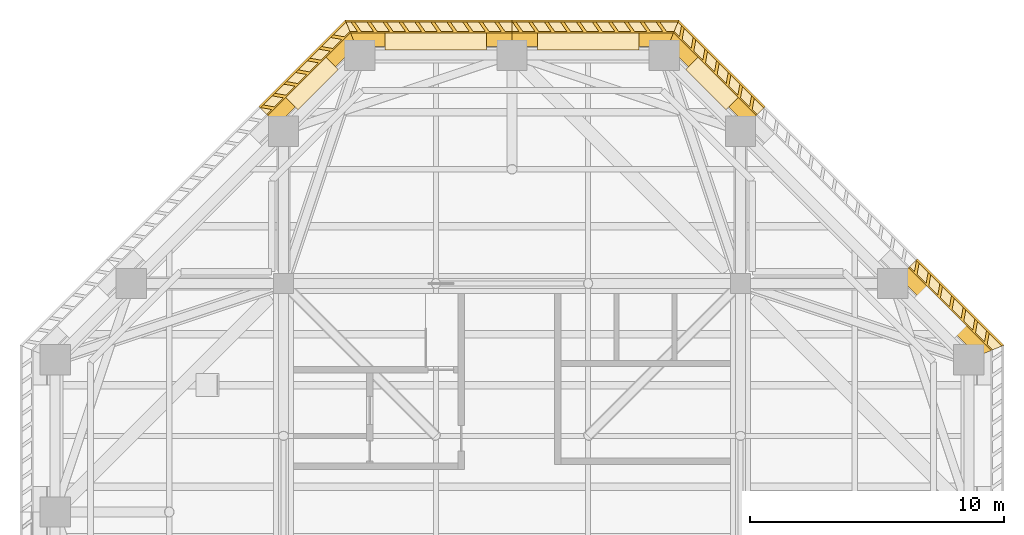
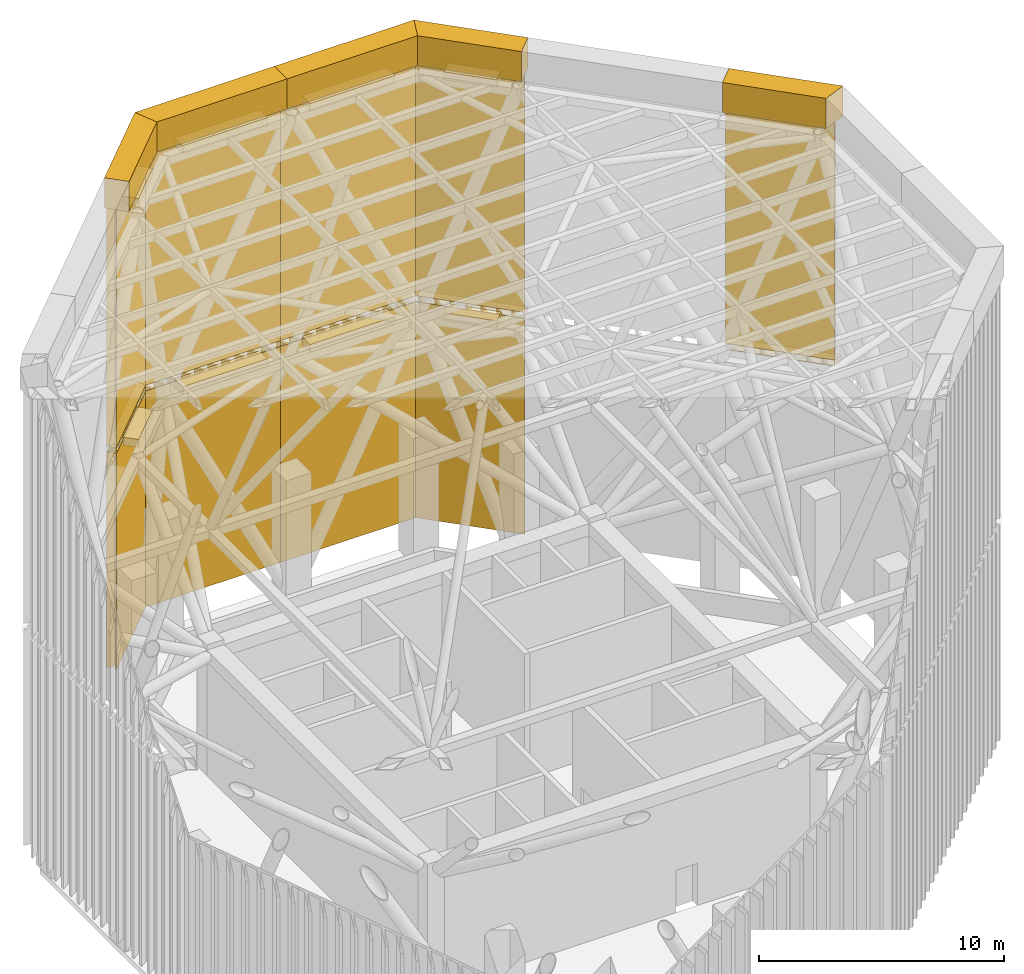
# One storey, part 8 of 8: 27 coverings.
"""IFC4 building model written with IfcOpenShell, lengths in metres."""

from ifc_helpers import new_model, si_unit, direction, frame, origin, place, context, subcontext, project, spatial, polyline, outline, extrude, material, layer, layer_set, constituent, constituent_set, type_object, element, save


model = new_model("IFC4")

# Units and contexts
model_context = context("Model", 3, precision=1e-05, world=origin(), true_north=direction((0.0, 1.0)))
body_context = subcontext(model_context, "Body", "Model", "MODEL_VIEW")
ifc_project = project(units=[si_unit("LENGTHUNIT", "METRE"), si_unit("AREAUNIT", "SQUARE_METRE"), si_unit("VOLUMEUNIT", "CUBIC_METRE"), si_unit("PLANEANGLEUNIT", "RADIAN"), si_unit("MASSUNIT", "GRAM", prefix="KILO")], contexts=[model_context])

# Site, building, storey
site_placement = place(None, origin())
site = spatial("IfcSite", under=ifc_project, at=site_placement, CompositionType="ELEMENT")
building_placement = place(site_placement, origin())
building = spatial("IfcBuilding", under=site, at=building_placement, Name="Torre Cruceta", CompositionType="ELEMENT")
storey_placement = place(building_placement, frame((0.0, 0.0, 293.300048828125)))
storey = spatial("IfcBuildingStorey", under=building, at=storey_placement, Name="RF", CompositionType="ELEMENT", Elevation=293.300048828125)

# Coverings
ifc_material_1 = material(Name="Glass-fibre reinforced concrete", Category="concrete")
ifc_constituent_1 = constituent(ifc_material_1, Name="Panel")
ifc_material_2 = material(Name="Steel S275", Category="steel")
ifc_constituent_2 = constituent(ifc_material_2, Name="Subframe")
ifc_material_3 = material(Name="Hot-dip galvanising", Category="zinc")
ifc_constituent_3 = constituent(ifc_material_3, Name="Subframe coating")
ifc_constituent_set_1 = constituent_set(constituents=[ifc_constituent_1, ifc_constituent_2, ifc_constituent_3], Name="GFRC panel on a galvanised steel subframe")
covering_type_1 = type_object("IfcCoveringType", Name="CROWN CAP FASCIA GFRC 1500", PredefinedType="CLADDING", material=ifc_constituent_set_1)
covering_1_placement = place(storey_placement, frame((0.0, 0.0, 24.0)))
element("IfcCovering", 1, at=covering_1_placement, inside=storey, type_object=covering_type_1, Name="Crown cap fascia FC1 11", PredefinedType="CLADDING", context=body_context, shape_type="SweptSolid", body=[
    extrude(outline(polyline([(19.3798828125, 6.571533203125), (15.975830078125, 9.975830078125), (15.240478515625, 9.240478515625), (18.340087890625, 6.140869140625), (19.3798828125, 6.571533203125)])), origin(), (0.0, 0.0, 1.0), 1.5),
])
covering_2_placement = place(storey_placement, frame((0.0, 0.0, 24.0)))
element("IfcCovering", 2, at=covering_2_placement, inside=storey, type_object=covering_type_1, Name="Crown cap fascia FC1 13", PredefinedType="CLADDING", context=body_context, shape_type="SweptSolid", body=[
    extrude(outline(polyline([(9.975830078125, 15.975830078125), (6.571533203125, 19.3798828125), (6.140869140625, 18.340087890625), (9.240478515625, 15.240478515625), (9.975830078125, 15.975830078125)])), origin(), (0.0, 0.0, 1.0), 1.5),
])
covering_3_placement = place(storey_placement, frame((0.0, 0.0, 24.0)))
element("IfcCovering", 3, at=covering_3_placement, inside=storey, type_object=covering_type_1, Name="Crown cap fascia FC1 14", PredefinedType="CLADDING", context=body_context, shape_type="SweptSolid", body=[
    extrude(outline(polyline([(6.571533203125, 19.3798828125), (0.0, 19.3798828125), (0.0, 18.340087890625), (6.140869140625, 18.340087890625), (6.571533203125, 19.3798828125)])), origin(), (0.0, 0.0, 1.0), 1.5),
])
covering_4_placement = place(storey_placement, frame((0.0, 0.0, 24.0)))
element("IfcCovering", 4, at=covering_4_placement, inside=storey, type_object=covering_type_1, Name="Crown cap fascia FC1 15", PredefinedType="CLADDING", context=body_context, shape_type="SweptSolid", body=[
    extrude(outline(polyline([(0.0, 19.3798828125), (-6.571533203125, 19.3798828125), (-6.140869140625, 18.340087890625), (0.0, 18.340087890625), (0.0, 19.3798828125)])), origin(), (0.0, 0.0, 1.0), 1.5),
])
covering_5_placement = place(storey_placement, frame((0.0, 0.0, 24.0)))
element("IfcCovering", 5, at=covering_5_placement, inside=storey, type_object=covering_type_1, Name="Crown cap fascia FC1 16", PredefinedType="CLADDING", context=body_context, shape_type="SweptSolid", body=[
    extrude(outline(polyline([(-6.571533203125, 19.3798828125), (-9.975830078125, 15.975830078125), (-9.240478515625, 15.240478515625), (-6.140869140625, 18.340087890625), (-6.571533203125, 19.3798828125)])), origin(), (0.0, 0.0, 1.0), 1.5),
])
ifc_material_4 = material(Name="Glass-fibre reinforced concrete", Category="concrete")
ifc_constituent_4 = constituent(ifc_material_4, Name="Panel")
ifc_material_5 = material(Name="Steel S275", Category="steel")
ifc_constituent_5 = constituent(ifc_material_5, Name="Subframe")
ifc_material_6 = material(Name="Hot-dip galvanising", Category="zinc")
ifc_constituent_6 = constituent(ifc_material_6, Name="Subframe coating")
ifc_constituent_set_2 = constituent_set(constituents=[ifc_constituent_4, ifc_constituent_5, ifc_constituent_6], Name="GFRC panel on a galvanised steel subframe")
covering_type_2 = type_object("IfcCoveringType", Name="CROWN SCREEN JOINT BAND GFRC 300", PredefinedType="CLADDING", material=ifc_constituent_set_2)
covering_6_placement = place(storey_placement, frame((0.0, 0.0, 11.849853515625)))
element("IfcCovering", 6, at=covering_6_placement, inside=storey, type_object=covering_type_2, Name="Crown screen joint band SJ1 11", PredefinedType="CLADDING", context=body_context, shape_type="SweptSolid", body=[
    extrude(outline(polyline([(19.298583984375, 6.537841796875), (15.918212890625, 9.918212890625), (15.615234375, 9.615234375), (18.8701171875, 6.3603515625), (19.298583984375, 6.537841796875)])), origin(), (0.0, 0.0, 1.0), 0.300048828125),
])
covering_7_placement = place(storey_placement, frame((0.0, 0.0, 11.849853515625)))
element("IfcCovering", 7, at=covering_7_placement, inside=storey, type_object=covering_type_2, Name="Crown screen joint band SJ1 13", PredefinedType="CLADDING", context=body_context, shape_type="SweptSolid", body=[
    extrude(outline(polyline([(9.918212890625, 15.918212890625), (6.537841796875, 19.298583984375), (6.3603515625, 18.8701171875), (9.615234375, 15.615234375), (9.918212890625, 15.918212890625)])), origin(), (0.0, 0.0, 1.0), 0.300048828125),
])
covering_8_placement = place(storey_placement, frame((0.0, 0.0, 11.849853515625)))
element("IfcCovering", 8, at=covering_8_placement, inside=storey, type_object=covering_type_2, Name="Crown screen joint band SJ1 14", PredefinedType="CLADDING", context=body_context, shape_type="SweptSolid", body=[
    extrude(outline(polyline([(6.537841796875, 19.298583984375), (0.0, 19.298583984375), (0.0, 18.8701171875), (6.3603515625, 18.8701171875), (6.537841796875, 19.298583984375)])), origin(), (0.0, 0.0, 1.0), 0.300048828125),
])
covering_9_placement = place(storey_placement, frame((0.0, 0.0, 11.849853515625)))
element("IfcCovering", 9, at=covering_9_placement, inside=storey, type_object=covering_type_2, Name="Crown screen joint band SJ1 15", PredefinedType="CLADDING", context=body_context, shape_type="SweptSolid", body=[
    extrude(outline(polyline([(0.0, 19.298583984375), (-6.537841796875, 19.298583984375), (-6.3603515625, 18.8701171875), (0.0, 18.8701171875), (0.0, 19.298583984375)])), origin(), (0.0, 0.0, 1.0), 0.300048828125),
])
covering_10_placement = place(storey_placement, frame((0.0, 0.0, 11.849853515625)))
element("IfcCovering", 10, at=covering_10_placement, inside=storey, type_object=covering_type_2, Name="Crown screen joint band SJ1 16", PredefinedType="CLADDING", context=body_context, shape_type="SweptSolid", body=[
    extrude(outline(polyline([(-6.537841796875, 19.298583984375), (-9.918212890625, 15.918212890625), (-9.615234375, 15.615234375), (-6.3603515625, 18.8701171875), (-6.537841796875, 19.298583984375)])), origin(), (0.0, 0.0, 1.0), 0.300048828125),
])
ifc_material_7 = material(Name="Glass-fibre reinforced concrete", Category="concrete")
ifc_constituent_7 = constituent(ifc_material_7, Name="Panel")
ifc_material_8 = material(Name="Steel S275", Category="steel")
ifc_constituent_8 = constituent(ifc_material_8, Name="Subframe")
ifc_material_9 = material(Name="Hot-dip galvanising", Category="zinc")
ifc_constituent_9 = constituent(ifc_material_9, Name="Subframe coating")
ifc_constituent_set_3 = constituent_set(constituents=[ifc_constituent_7, ifc_constituent_8, ifc_constituent_9], Name="GFRC panel on a galvanised steel subframe")
covering_type_3 = type_object("IfcCoveringType", Name="CROWN SCREEN PANEL GFRC FINS 450 TIER 1", PredefinedType="CLADDING", material=ifc_constituent_set_3)
covering_11_placement = place(storey_placement, frame((0.0, 0.0, 1.099853515625)))
element("IfcCovering", 11, at=covering_11_placement, inside=storey, type_object=covering_type_3, Name="Crown screen panel SC1 13", PredefinedType="CLADDING", context=body_context, shape_type="SweptSolid", body=[
    extrude(outline(polyline([(9.4365234375, 16.400146484375), (9.35791015625, 15.95751953125), (9.00146484375, 16.313720703125), (9.080078125, 16.75634765625), (8.9765625, 16.860107421875), (8.89794921875, 16.41748046875), (8.54150390625, 16.773681640625), (8.6201171875, 17.21630859375), (8.5166015625, 17.320068359375), (8.43798828125, 16.877197265625), (8.08154296875, 17.233642578125), (8.16015625, 17.676513671875), (8.056396484375, 17.780029296875), (7.977783203125, 17.33740234375), (7.62158203125, 17.693603515625), (7.7001953125, 18.136474609375), (7.5966796875, 18.239990234375), (7.517822265625, 17.79736328125), (7.16162109375, 18.15380859375), (7.240234375, 18.59619140625), (7.13671875, 18.699951171875), (7.05810546875, 18.25732421875), (6.70166015625, 18.613525390625), (6.7802734375, 19.056396484375), (6.676513671875, 19.159912109375), (6.597900390625, 18.71728515625), (6.38525390625, 18.929931640625), (6.3603515625, 18.8701171875), (9.615234375, 15.615234375), (9.65771484375, 15.65771484375), (9.46142578125, 15.853759765625), (9.5400390625, 16.29638671875), (9.4365234375, 16.400146484375)])), origin(), (0.0, 0.0, 1.0), 10.75),
])
covering_12_placement = place(storey_placement, frame((0.0, 0.0, 1.099853515625)))
element("IfcCovering", 12, at=covering_12_placement, inside=storey, type_object=covering_type_3, Name="Crown screen panel SC1 14", PredefinedType="CLADDING", context=body_context, shape_type="SweptSolid", body=[
    extrude(outline(polyline([(0.0, 18.929931640625), (0.0, 18.8701171875), (6.3603515625, 18.8701171875), (6.38525390625, 18.929931640625), (6.0830078125, 18.929931640625), (5.825439453125, 19.298583984375), (5.678955078125, 19.298583984375), (5.936279296875, 18.929931640625), (5.4541015625, 18.929931640625), (5.196533203125, 19.298583984375), (5.050048828125, 19.298583984375), (5.3076171875, 18.929931640625), (4.8251953125, 18.929931640625), (4.567626953125, 19.298583984375), (4.421142578125, 19.298583984375), (4.6787109375, 18.929931640625), (4.196044921875, 18.929931640625), (3.938720703125, 19.298583984375), (3.792236328125, 19.298583984375), (4.049560546875, 18.929931640625), (3.567138671875, 18.929931640625), (3.309814453125, 19.298583984375), (3.163330078125, 19.298583984375), (3.420654296875, 18.929931640625), (2.938232421875, 18.929931640625), (2.680908203125, 19.298583984375), (2.534423828125, 19.298583984375), (2.791748046875, 18.929931640625), (2.309326171875, 18.929931640625), (2.052001953125, 19.298583984375), (1.905517578125, 19.298583984375), (2.162841796875, 18.929931640625), (1.680419921875, 18.929931640625), (1.423095703125, 19.298583984375), (1.276611328125, 19.298583984375), (1.533935546875, 18.929931640625), (1.051513671875, 18.929931640625), (0.794189453125, 19.298583984375), (0.647705078125, 19.298583984375), (0.905029296875, 18.929931640625), (0.422607421875, 18.929931640625), (0.1650390625, 19.298583984375), (0.0185546875, 19.298583984375), (0.276123046875, 18.929931640625), (0.0, 18.929931640625)])), origin(), (0.0, 0.0, 1.0), 10.75),
])
covering_13_placement = place(storey_placement, frame((0.0, 0.0, 1.099853515625)))
element("IfcCovering", 13, at=covering_13_placement, inside=storey, type_object=covering_type_3, Name="Crown screen panel SC1 15", PredefinedType="CLADDING", context=body_context, shape_type="SweptSolid", body=[
    extrude(outline(polyline([(-6.38525390625, 18.929931640625), (-6.3603515625, 18.8701171875), (0.0, 18.8701171875), (0.0, 18.929931640625), (-0.277587890625, 18.929931640625), (-0.534912109375, 19.298583984375), (-0.681396484375, 19.298583984375), (-0.423828125, 18.929931640625), (-0.906494140625, 18.929931640625), (-1.163818359375, 19.298583984375), (-1.310302734375, 19.298583984375), (-1.052978515625, 18.929931640625), (-1.535400390625, 18.929931640625), (-1.792724609375, 19.298583984375), (-1.939208984375, 19.298583984375), (-1.681884765625, 18.929931640625), (-2.164306640625, 18.929931640625), (-2.421630859375, 19.298583984375), (-2.568115234375, 19.298583984375), (-2.310791015625, 18.929931640625), (-2.793212890625, 18.929931640625), (-3.050537109375, 19.298583984375), (-3.197021484375, 19.298583984375), (-2.939697265625, 18.929931640625), (-3.422119140625, 18.929931640625), (-3.679443359375, 19.298583984375), (-3.825927734375, 19.298583984375), (-3.568603515625, 18.929931640625), (-4.051025390625, 18.929931640625), (-4.308349609375, 19.298583984375), (-4.454833984375, 19.298583984375), (-4.197509765625, 18.929931640625), (-4.679931640625, 18.929931640625), (-4.9375, 19.298583984375), (-5.083984375, 19.298583984375), (-4.826416015625, 18.929931640625), (-5.308837890625, 18.929931640625), (-5.56640625, 19.298583984375), (-5.712890625, 19.298583984375), (-5.455322265625, 18.929931640625), (-5.937744140625, 18.929931640625), (-6.1953125, 19.298583984375), (-6.341796875, 19.298583984375), (-6.084228515625, 18.929931640625), (-6.38525390625, 18.929931640625)])), origin(), (0.0, 0.0, 1.0), 10.75),
])
covering_14_placement = place(storey_placement, frame((0.0, 0.0, 1.099853515625)))
element("IfcCovering", 14, at=covering_14_placement, inside=storey, type_object=covering_type_3, Name="Crown screen panel SC1 16", PredefinedType="CLADDING", context=body_context, shape_type="SweptSolid", body=[
    extrude(outline(polyline([(-9.905029296875, 15.931396484375), (-9.46240234375, 15.852783203125), (-9.65771484375, 15.65771484375), (-9.615234375, 15.615234375), (-6.3603515625, 18.8701171875), (-6.38525390625, 18.929931640625), (-6.59912109375, 18.71630859375), (-7.04150390625, 18.794921875), (-7.145263671875, 18.69140625), (-6.70263671875, 18.61279296875), (-7.05908203125, 18.25634765625), (-7.501708984375, 18.3349609375), (-7.605224609375, 18.231201171875), (-7.16259765625, 18.152587890625), (-7.518798828125, 17.79638671875), (-7.961669921875, 17.875), (-8.065185546875, 17.771240234375), (-7.62255859375, 17.692626953125), (-7.97900390625, 17.336181640625), (-8.421630859375, 17.4150390625), (-8.525146484375, 17.311279296875), (-8.08251953125, 17.232666015625), (-8.43896484375, 16.876220703125), (-8.881591796875, 16.955078125), (-8.985107421875, 16.851318359375), (-8.54248046875, 16.772705078125), (-8.898681640625, 16.41650390625), (-9.341552734375, 16.4951171875), (-9.445068359375, 16.391357421875), (-9.00244140625, 16.312744140625), (-9.35888671875, 15.956298828125), (-9.801513671875, 16.034912109375), (-9.905029296875, 15.931396484375)])), origin(), (0.0, 0.0, 1.0), 10.75),
])
ifc_material_10 = material(Name="Glass-fibre reinforced concrete", Category="concrete")
ifc_constituent_10 = constituent(ifc_material_10, Name="Panel")
ifc_material_11 = material(Name="Steel S275", Category="steel")
ifc_constituent_11 = constituent(ifc_material_11, Name="Subframe")
ifc_material_12 = material(Name="Hot-dip galvanising", Category="zinc")
ifc_constituent_12 = constituent(ifc_material_12, Name="Subframe coating")
ifc_constituent_set_4 = constituent_set(constituents=[ifc_constituent_10, ifc_constituent_11, ifc_constituent_12], Name="GFRC panel on a galvanised steel subframe")
covering_type_4 = type_object("IfcCoveringType", Name="CROWN SCREEN PANEL GFRC FINS 450 TIER 2", PredefinedType="CLADDING", material=ifc_constituent_set_4)
covering_15_placement = place(storey_placement, frame((0.0, 0.0, 12.14990234375)))
element("IfcCovering", 15, at=covering_15_placement, inside=storey, type_object=covering_type_4, Name="Crown screen panel SC2 11", PredefinedType="CLADDING", context=body_context, shape_type="SweptSolid", body=[
    extrude(outline(polyline([(18.69140625, 7.145263671875), (18.61279296875, 6.70263671875), (18.25634765625, 7.05908203125), (18.3349609375, 7.501708984375), (18.231201171875, 7.605224609375), (18.152587890625, 7.16259765625), (17.79638671875, 7.518798828125), (17.875, 7.961669921875), (17.771240234375, 8.065185546875), (17.692626953125, 7.62255859375), (17.336181640625, 7.97900390625), (17.4150390625, 8.421630859375), (17.311279296875, 8.525146484375), (17.232666015625, 8.08251953125), (16.876220703125, 8.43896484375), (16.955078125, 8.881591796875), (16.851318359375, 8.985107421875), (16.772705078125, 8.54248046875), (16.41650390625, 8.898681640625), (16.4951171875, 9.341552734375), (16.391357421875, 9.445068359375), (16.312744140625, 9.00244140625), (15.956298828125, 9.35888671875), (16.034912109375, 9.801513671875), (15.931396484375, 9.905029296875), (15.852783203125, 9.46240234375), (15.65771484375, 9.65771484375), (15.615234375, 9.615234375), (18.8701171875, 6.3603515625), (18.929931640625, 6.38525390625), (18.71630859375, 6.59912109375), (18.794921875, 7.04150390625), (18.69140625, 7.145263671875)])), origin(), (0.0, 0.0, 1.0), 11.85009765625),
])
covering_16_placement = place(storey_placement, frame((0.0, 0.0, 12.14990234375)))
element("IfcCovering", 16, at=covering_16_placement, inside=storey, type_object=covering_type_4, Name="Crown screen panel SC2 13", PredefinedType="CLADDING", context=body_context, shape_type="SweptSolid", body=[
    extrude(outline(polyline([(9.4365234375, 16.400146484375), (9.35791015625, 15.95751953125), (9.00146484375, 16.313720703125), (9.080078125, 16.75634765625), (8.9765625, 16.860107421875), (8.89794921875, 16.41748046875), (8.54150390625, 16.773681640625), (8.6201171875, 17.21630859375), (8.5166015625, 17.320068359375), (8.43798828125, 16.877197265625), (8.08154296875, 17.233642578125), (8.16015625, 17.676513671875), (8.056396484375, 17.780029296875), (7.977783203125, 17.33740234375), (7.62158203125, 17.693603515625), (7.7001953125, 18.136474609375), (7.5966796875, 18.239990234375), (7.517822265625, 17.79736328125), (7.16162109375, 18.15380859375), (7.240234375, 18.59619140625), (7.13671875, 18.699951171875), (7.05810546875, 18.25732421875), (6.70166015625, 18.613525390625), (6.7802734375, 19.056396484375), (6.676513671875, 19.159912109375), (6.597900390625, 18.71728515625), (6.38525390625, 18.929931640625), (6.3603515625, 18.8701171875), (9.615234375, 15.615234375), (9.65771484375, 15.65771484375), (9.46142578125, 15.853759765625), (9.5400390625, 16.29638671875), (9.4365234375, 16.400146484375)])), origin(), (0.0, 0.0, 1.0), 11.85009765625),
])
covering_17_placement = place(storey_placement, frame((0.0, 0.0, 12.14990234375)))
element("IfcCovering", 17, at=covering_17_placement, inside=storey, type_object=covering_type_4, Name="Crown screen panel SC2 14", PredefinedType="CLADDING", context=body_context, shape_type="SweptSolid", body=[
    extrude(outline(polyline([(0.0, 18.929931640625), (0.0, 18.8701171875), (6.3603515625, 18.8701171875), (6.38525390625, 18.929931640625), (6.0830078125, 18.929931640625), (5.825439453125, 19.298583984375), (5.678955078125, 19.298583984375), (5.936279296875, 18.929931640625), (5.4541015625, 18.929931640625), (5.196533203125, 19.298583984375), (5.050048828125, 19.298583984375), (5.3076171875, 18.929931640625), (4.8251953125, 18.929931640625), (4.567626953125, 19.298583984375), (4.421142578125, 19.298583984375), (4.6787109375, 18.929931640625), (4.196044921875, 18.929931640625), (3.938720703125, 19.298583984375), (3.792236328125, 19.298583984375), (4.049560546875, 18.929931640625), (3.567138671875, 18.929931640625), (3.309814453125, 19.298583984375), (3.163330078125, 19.298583984375), (3.420654296875, 18.929931640625), (2.938232421875, 18.929931640625), (2.680908203125, 19.298583984375), (2.534423828125, 19.298583984375), (2.791748046875, 18.929931640625), (2.309326171875, 18.929931640625), (2.052001953125, 19.298583984375), (1.905517578125, 19.298583984375), (2.162841796875, 18.929931640625), (1.680419921875, 18.929931640625), (1.423095703125, 19.298583984375), (1.276611328125, 19.298583984375), (1.533935546875, 18.929931640625), (1.051513671875, 18.929931640625), (0.794189453125, 19.298583984375), (0.647705078125, 19.298583984375), (0.905029296875, 18.929931640625), (0.422607421875, 18.929931640625), (0.1650390625, 19.298583984375), (0.0185546875, 19.298583984375), (0.276123046875, 18.929931640625), (0.0, 18.929931640625)])), origin(), (0.0, 0.0, 1.0), 11.85009765625),
])
covering_18_placement = place(storey_placement, frame((0.0, 0.0, 12.14990234375)))
element("IfcCovering", 18, at=covering_18_placement, inside=storey, type_object=covering_type_4, Name="Crown screen panel SC2 15", PredefinedType="CLADDING", context=body_context, shape_type="SweptSolid", body=[
    extrude(outline(polyline([(-6.38525390625, 18.929931640625), (-6.3603515625, 18.8701171875), (0.0, 18.8701171875), (0.0, 18.929931640625), (-0.277587890625, 18.929931640625), (-0.534912109375, 19.298583984375), (-0.681396484375, 19.298583984375), (-0.423828125, 18.929931640625), (-0.906494140625, 18.929931640625), (-1.163818359375, 19.298583984375), (-1.310302734375, 19.298583984375), (-1.052978515625, 18.929931640625), (-1.535400390625, 18.929931640625), (-1.792724609375, 19.298583984375), (-1.939208984375, 19.298583984375), (-1.681884765625, 18.929931640625), (-2.164306640625, 18.929931640625), (-2.421630859375, 19.298583984375), (-2.568115234375, 19.298583984375), (-2.310791015625, 18.929931640625), (-2.793212890625, 18.929931640625), (-3.050537109375, 19.298583984375), (-3.197021484375, 19.298583984375), (-2.939697265625, 18.929931640625), (-3.422119140625, 18.929931640625), (-3.679443359375, 19.298583984375), (-3.825927734375, 19.298583984375), (-3.568603515625, 18.929931640625), (-4.051025390625, 18.929931640625), (-4.308349609375, 19.298583984375), (-4.454833984375, 19.298583984375), (-4.197509765625, 18.929931640625), (-4.679931640625, 18.929931640625), (-4.9375, 19.298583984375), (-5.083984375, 19.298583984375), (-4.826416015625, 18.929931640625), (-5.308837890625, 18.929931640625), (-5.56640625, 19.298583984375), (-5.712890625, 19.298583984375), (-5.455322265625, 18.929931640625), (-5.937744140625, 18.929931640625), (-6.1953125, 19.298583984375), (-6.341796875, 19.298583984375), (-6.084228515625, 18.929931640625), (-6.38525390625, 18.929931640625)])), origin(), (0.0, 0.0, 1.0), 11.85009765625),
])
covering_19_placement = place(storey_placement, frame((0.0, 0.0, 12.14990234375)))
element("IfcCovering", 19, at=covering_19_placement, inside=storey, type_object=covering_type_4, Name="Crown screen panel SC2 16", PredefinedType="CLADDING", context=body_context, shape_type="SweptSolid", body=[
    extrude(outline(polyline([(-9.905029296875, 15.931396484375), (-9.46240234375, 15.852783203125), (-9.65771484375, 15.65771484375), (-9.615234375, 15.615234375), (-6.3603515625, 18.8701171875), (-6.38525390625, 18.929931640625), (-6.59912109375, 18.71630859375), (-7.04150390625, 18.794921875), (-7.145263671875, 18.69140625), (-6.70263671875, 18.61279296875), (-7.05908203125, 18.25634765625), (-7.501708984375, 18.3349609375), (-7.605224609375, 18.231201171875), (-7.16259765625, 18.152587890625), (-7.518798828125, 17.79638671875), (-7.961669921875, 17.875), (-8.065185546875, 17.771240234375), (-7.62255859375, 17.692626953125), (-7.97900390625, 17.336181640625), (-8.421630859375, 17.4150390625), (-8.525146484375, 17.311279296875), (-8.08251953125, 17.232666015625), (-8.43896484375, 16.876220703125), (-8.881591796875, 16.955078125), (-8.985107421875, 16.851318359375), (-8.54248046875, 16.772705078125), (-8.898681640625, 16.41650390625), (-9.341552734375, 16.4951171875), (-9.445068359375, 16.391357421875), (-9.00244140625, 16.312744140625), (-9.35888671875, 15.956298828125), (-9.801513671875, 16.034912109375), (-9.905029296875, 15.931396484375)])), origin(), (0.0, 0.0, 1.0), 11.85009765625),
])
ifc_material_13 = material(Name="Steel S275", Category="steel")
ifc_layer = layer(ifc_material_13, 0.669921875)
ifc_layer_set = layer_set([ifc_layer], Name="Steel S275")
covering_type_5 = type_object("IfcCoveringType", Name="CROWN SCREEN SUPPORT RAIL GALVANISED STEEL", PredefinedType="CLADDING", material=ifc_layer_set)
for number, where, name in (
    (20, (0.0, 0.0, 11.599853515625), "Crown screen support rail SR1 1-13"),
    (21, (0.0, 0.0, 23.599853515625), "Crown screen support rail SR1 2-13"),
):
    element("IfcCovering", number, at=place(storey_placement, frame(where)), inside=storey, type_object=covering_type_5, Name=name, PredefinedType="CLADDING", context=body_context, shape_type="SweptSolid", body=[
        extrude(outline(polyline([(8.908203125, 16.322265625), (7.322265625, 17.908203125), (6.848876953125, 17.434814453125), (8.434814453125, 15.848876953125), (8.908203125, 16.322265625)])), origin(), (0.0, 0.0, 1.0), 0.400146484375),
    ])
for number, where, name in (
    (22, (0.0, 0.0, 11.599853515625), "Crown screen support rail SR1 1-14"),
    (23, (0.0, 0.0, 23.599853515625), "Crown screen support rail SR1 2-14"),
):
    element("IfcCovering", number, at=place(storey_placement, frame(where)), inside=storey, type_object=covering_type_5, Name=name, PredefinedType="CLADDING", context=body_context, shape_type="SweptSolid", body=[
        extrude(outline(polyline([(5.0, 18.8701171875), (1.0, 18.8701171875), (1.0, 18.200439453125), (5.0, 18.200439453125), (5.0, 18.8701171875)])), origin(), (0.0, 0.0, 1.0), 0.400146484375),
    ])
for number, where, name in (
    (24, (0.0, 0.0, 11.599853515625), "Crown screen support rail SR1 1-15"),
    (25, (0.0, 0.0, 23.599853515625), "Crown screen support rail SR1 2-15"),
):
    element("IfcCovering", number, at=place(storey_placement, frame(where)), inside=storey, type_object=covering_type_5, Name=name, PredefinedType="CLADDING", context=body_context, shape_type="SweptSolid", body=[
        extrude(outline(polyline([(-1.0, 18.8701171875), (-5.0, 18.8701171875), (-5.0, 18.200439453125), (-1.0, 18.200439453125), (-1.0, 18.8701171875)])), origin(), (0.0, 0.0, 1.0), 0.400146484375),
    ])
for number, where, name in (
    (26, (0.0, 0.0, 11.599853515625), "Crown screen support rail SR1 1-16"),
    (27, (0.0, 0.0, 23.599853515625), "Crown screen support rail SR1 2-16"),
):
    element("IfcCovering", number, at=place(storey_placement, frame(where)), inside=storey, type_object=covering_type_5, Name=name, PredefinedType="CLADDING", context=body_context, shape_type="SweptSolid", body=[
        extrude(outline(polyline([(-7.322265625, 17.908203125), (-8.908203125, 16.322265625), (-8.434814453125, 15.848876953125), (-6.848876953125, 17.434814453125), (-7.322265625, 17.908203125)])), origin(), (0.0, 0.0, 1.0), 0.400146484375),
    ])

save(model, "model.ifc")
